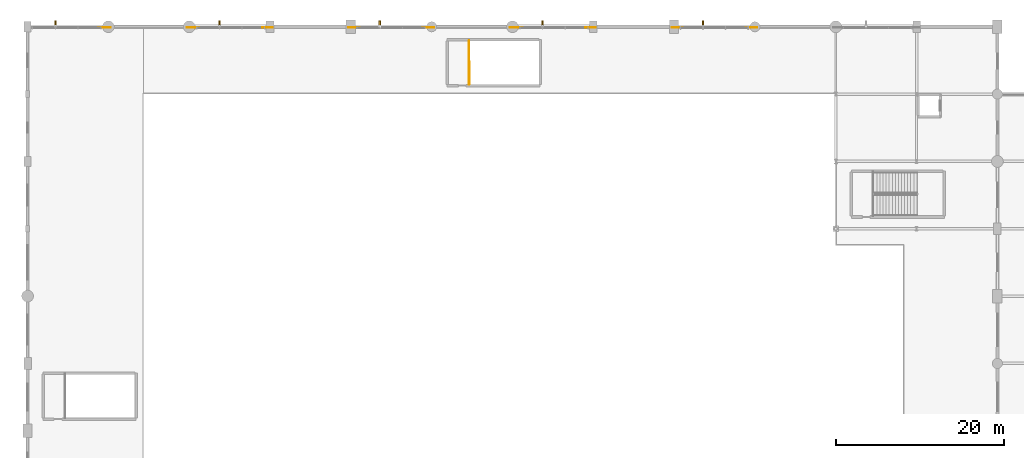
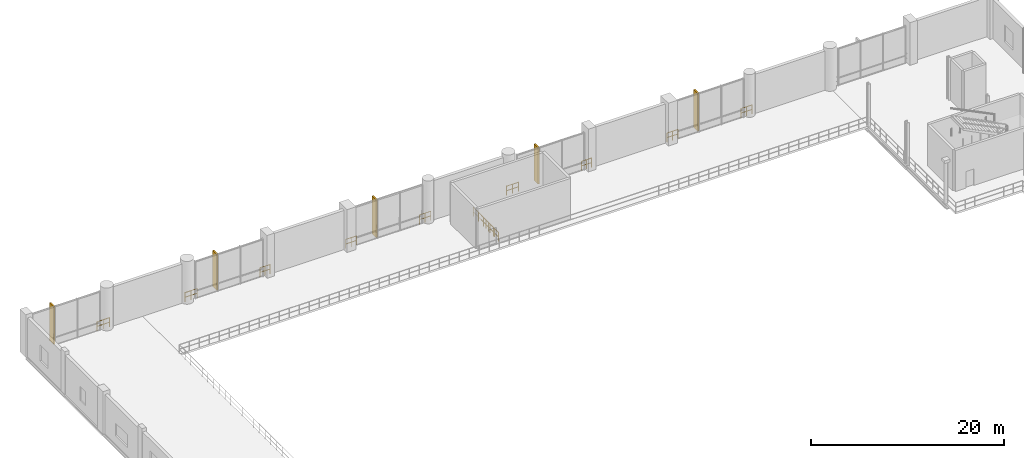
# One storey, part 127 of 129: 11 railings, 5 shading devices.
"""IFC4 building model written with IfcOpenShell, lengths in metres."""

from ifc_helpers import new_model, si_unit, direction, frame, origin, origin_2d, place, context, subcontext, project, spatial, rectangle, circle, extrude, material, type_object, element, save


model = new_model("IFC4")

# Units and contexts
model_context = context("Model", 3, precision=1e-05, world=origin(), true_north=direction((0.0, 1.0)))
body_context = subcontext(model_context, "Body", "Model", "MODEL_VIEW")
ifc_project = project(units=[si_unit("LENGTHUNIT", "METRE"), si_unit("AREAUNIT", "SQUARE_METRE"), si_unit("VOLUMEUNIT", "CUBIC_METRE"), si_unit("PLANEANGLEUNIT", "RADIAN"), si_unit("MASSUNIT", "GRAM", prefix="KILO")], contexts=[model_context])

# Site, building, storey
site_placement = place(None, origin())
site = spatial("IfcSite", under=ifc_project, at=site_placement, CompositionType="ELEMENT")
building_placement = place(site_placement, origin())
building = spatial("IfcBuilding", under=site, at=building_placement, Name="Danafjord Basin Convention Centre", CompositionType="ELEMENT")
storey_placement = place(building_placement, frame((0.0, 0.0, 6.0)))
storey = spatial("IfcBuildingStorey", under=building, at=storey_placement, Name="L01", CompositionType="ELEMENT", Elevation=6.0)

# Railings
ifc_material_1 = material(Name="Laminated structural glass and stainless steel", Category="steel")
railing_type_1 = type_object("IfcRailingType", Name="RL-BAL-GLS", PredefinedType="BALUSTRADE", material=ifc_material_1)
for number, where, name in (
    (1, (8.419921875, 143.919921875, 0.0), "L01 safety guard balustrade 1"),
    (2, (18.919921875, 143.919921875, 0.0), "L01 safety guard balustrade 2"),
):
    element("IfcRailing", number, at=place(storey_placement, frame(where)), inside=storey, type_object=railing_type_1, Name=name, PredefinedType="BALUSTRADE", context=body_context, shape_type="SweptSolid", body=[
        extrude(circle(Radius=0.02392578125, at=origin_2d()), frame((0.0, 0.0, 1.1259765625), z_axis=(1.0, 0.0, 0.0), x_axis=(0.0, 1.0, 0.0)), (0.0, 0.0, 1.0), 1.4599609375),
        extrude(circle(Radius=0.02392578125, at=origin_2d()), frame((0.0, 0.0, 0.55078125), z_axis=(1.0, 0.0, 0.0), x_axis=(0.0, 1.0, 0.0)), (0.0, 0.0, 1.0), 1.4599609375),
        extrude(circle(Radius=0.02099609375, at=origin_2d()), origin(), (0.0, 0.0, 1.0), 1.099853515625),
        extrude(circle(Radius=0.02099609375, at=origin_2d()), frame((0.72998046875, 0.0, 0.0)), (0.0, 0.0, 1.0), 1.099853515625),
        extrude(circle(Radius=0.02099609375, at=origin_2d()), frame((1.4599609375, 0.0, 0.0)), (0.0, 0.0, 1.0), 1.099853515625),
    ])
railing_1_placement = place(storey_placement, frame((27.8701171875, 143.919921875, 0.0)))
element("IfcRailing", 3, at=railing_1_placement, inside=storey, type_object=railing_type_1, Name="L01 safety guard balustrade 3", PredefinedType="BALUSTRADE", context=body_context, shape_type="SweptSolid", body=[
    extrude(circle(Radius=0.02392578125, at=origin_2d()), frame((0.0, 0.0, 1.1259765625), z_axis=(1.0, 0.0, 0.0), x_axis=(0.0, 1.0, 0.0)), (0.0, 0.0, 1.0), 1.2099609375),
    extrude(circle(Radius=0.02392578125, at=origin_2d()), frame((0.0, 0.0, 0.55078125), z_axis=(1.0, 0.0, 0.0), x_axis=(0.0, 1.0, 0.0)), (0.0, 0.0, 1.0), 1.2099609375),
    extrude(circle(Radius=0.02099609375, at=origin_2d()), origin(), (0.0, 0.0, 1.0), 1.099853515625),
    extrude(circle(Radius=0.02099609375, at=origin_2d()), frame((0.60498046875, 0.0, 0.0)), (0.0, 0.0, 1.0), 1.099853515625),
    extrude(circle(Radius=0.02099609375, at=origin_2d()), frame((1.2099609375, 0.0, 0.0)), (0.0, 0.0, 1.0), 1.099853515625),
])
railing_2_placement = place(storey_placement, frame((38.1201171875, 143.919921875, 0.0)))
element("IfcRailing", 4, at=railing_2_placement, inside=storey, type_object=railing_type_1, Name="L01 safety guard balustrade 4", PredefinedType="BALUSTRADE", context=body_context, shape_type="SweptSolid", body=[
    extrude(circle(Radius=0.02392578125, at=origin_2d()), frame((0.0, 0.0, 1.1259765625), z_axis=(1.0, 0.0, 0.0), x_axis=(0.0, 1.0, 0.0)), (0.0, 0.0, 1.0), 1.309814453125),
    extrude(circle(Radius=0.02392578125, at=origin_2d()), frame((0.0, 0.0, 0.55078125), z_axis=(1.0, 0.0, 0.0), x_axis=(0.0, 1.0, 0.0)), (0.0, 0.0, 1.0), 1.309814453125),
    extrude(circle(Radius=0.02099609375, at=origin_2d()), origin(), (0.0, 0.0, 1.0), 1.099853515625),
    extrude(circle(Radius=0.02099609375, at=origin_2d()), frame((0.65478515625, 0.0, 0.0)), (0.0, 0.0, 1.0), 1.099853515625),
    extrude(circle(Radius=0.02099609375, at=origin_2d()), frame((1.309814453125, 0.0, 0.0)), (0.0, 0.0, 1.0), 1.099853515625),
])
railing_3_placement = place(storey_placement, frame((46.919921875, 143.919921875, 0.0)))
element("IfcRailing", 5, at=railing_3_placement, inside=storey, type_object=railing_type_1, Name="L01 safety guard balustrade 5", PredefinedType="BALUSTRADE", context=body_context, shape_type="SweptSolid", body=[
    extrude(circle(Radius=0.02392578125, at=origin_2d()), frame((0.0, 0.0, 1.1259765625), z_axis=(1.0, 0.0, 0.0), x_axis=(0.0, 1.0, 0.0)), (0.0, 0.0, 1.0), 1.360107421875),
    extrude(circle(Radius=0.02392578125, at=origin_2d()), frame((0.0, 0.0, 0.55078125), z_axis=(1.0, 0.0, 0.0), x_axis=(0.0, 1.0, 0.0)), (0.0, 0.0, 1.0), 1.360107421875),
    extrude(circle(Radius=0.02099609375, at=origin_2d()), origin(), (0.0, 0.0, 1.0), 1.099853515625),
    extrude(circle(Radius=0.02099609375, at=origin_2d()), frame((0.68017578125, 0.0, 0.0)), (0.0, 0.0, 1.0), 1.099853515625),
    extrude(circle(Radius=0.02099609375, at=origin_2d()), frame((1.360107421875, 0.0, 0.0)), (0.0, 0.0, 1.0), 1.099853515625),
])
railing_4_placement = place(storey_placement, frame((57.320068359375, 143.919921875, 0.0)))
element("IfcRailing", 6, at=railing_4_placement, inside=storey, type_object=railing_type_1, Name="L01 safety guard balustrade 6", PredefinedType="BALUSTRADE", context=body_context, shape_type="SweptSolid", body=[
    extrude(circle(Radius=0.02392578125, at=origin_2d()), frame((0.0, 0.0, 1.1259765625), z_axis=(1.0, 0.0, 0.0), x_axis=(0.0, 1.0, 0.0)), (0.0, 0.0, 1.0), 1.4599609375),
    extrude(circle(Radius=0.02392578125, at=origin_2d()), frame((0.0, 0.0, 0.55078125), z_axis=(1.0, 0.0, 0.0), x_axis=(0.0, 1.0, 0.0)), (0.0, 0.0, 1.0), 1.4599609375),
    extrude(circle(Radius=0.02099609375, at=origin_2d()), origin(), (0.0, 0.0, 1.0), 1.099853515625),
    extrude(circle(Radius=0.02099609375, at=origin_2d()), frame((0.72998046875, 0.0, 0.0)), (0.0, 0.0, 1.0), 1.099853515625),
    extrude(circle(Radius=0.02099609375, at=origin_2d()), frame((1.4599609375, 0.0, 0.0)), (0.0, 0.0, 1.0), 1.099853515625),
])
railing_5_placement = place(storey_placement, frame((66.27001953125, 143.919921875, 0.0)))
element("IfcRailing", 7, at=railing_5_placement, inside=storey, type_object=railing_type_1, Name="L01 safety guard balustrade 7", PredefinedType="BALUSTRADE", context=body_context, shape_type="SweptSolid", body=[
    extrude(circle(Radius=0.02392578125, at=origin_2d()), frame((0.0, 0.0, 1.1259765625), z_axis=(1.0, 0.0, 0.0), x_axis=(0.0, 1.0, 0.0)), (0.0, 0.0, 1.0), 1.2099609375),
    extrude(circle(Radius=0.02392578125, at=origin_2d()), frame((0.0, 0.0, 0.55078125), z_axis=(1.0, 0.0, 0.0), x_axis=(0.0, 1.0, 0.0)), (0.0, 0.0, 1.0), 1.2099609375),
    extrude(circle(Radius=0.02099609375, at=origin_2d()), origin(), (0.0, 0.0, 1.0), 1.099853515625),
    extrude(circle(Radius=0.02099609375, at=origin_2d()), frame((0.60498046875, 0.0, 0.0)), (0.0, 0.0, 1.0), 1.099853515625),
    extrude(circle(Radius=0.02099609375, at=origin_2d()), frame((1.2099609375, 0.0, 0.0)), (0.0, 0.0, 1.0), 1.099853515625),
])
railing_6_placement = place(storey_placement, frame((76.52001953125, 143.919921875, 0.0)))
element("IfcRailing", 8, at=railing_6_placement, inside=storey, type_object=railing_type_1, Name="L01 safety guard balustrade 8", PredefinedType="BALUSTRADE", context=body_context, shape_type="SweptSolid", body=[
    extrude(circle(Radius=0.02392578125, at=origin_2d()), frame((0.0, 0.0, 1.1259765625), z_axis=(1.0, 0.0, 0.0), x_axis=(0.0, 1.0, 0.0)), (0.0, 0.0, 1.0), 1.31005859375),
    extrude(circle(Radius=0.02392578125, at=origin_2d()), frame((0.0, 0.0, 0.55078125), z_axis=(1.0, 0.0, 0.0), x_axis=(0.0, 1.0, 0.0)), (0.0, 0.0, 1.0), 1.31005859375),
    extrude(circle(Radius=0.02099609375, at=origin_2d()), origin(), (0.0, 0.0, 1.0), 1.099853515625),
    extrude(circle(Radius=0.02099609375, at=origin_2d()), frame((0.655029296875, 0.0, 0.0)), (0.0, 0.0, 1.0), 1.099853515625),
    extrude(circle(Radius=0.02099609375, at=origin_2d()), frame((1.31005859375, 0.0, 0.0)), (0.0, 0.0, 1.0), 1.099853515625),
])
railing_7_placement = place(storey_placement, frame((85.320068359375, 143.919921875, 0.0)))
element("IfcRailing", 9, at=railing_7_placement, inside=storey, type_object=railing_type_1, Name="L01 safety guard balustrade 9", PredefinedType="BALUSTRADE", context=body_context, shape_type="SweptSolid", body=[
    extrude(circle(Radius=0.02392578125, at=origin_2d()), frame((0.0, 0.0, 1.1259765625), z_axis=(1.0, 0.0, 0.0), x_axis=(0.0, 1.0, 0.0)), (0.0, 0.0, 1.0), 1.35986328125),
    extrude(circle(Radius=0.02392578125, at=origin_2d()), frame((0.0, 0.0, 0.55078125), z_axis=(1.0, 0.0, 0.0), x_axis=(0.0, 1.0, 0.0)), (0.0, 0.0, 1.0), 1.35986328125),
    extrude(circle(Radius=0.02099609375, at=origin_2d()), origin(), (0.0, 0.0, 1.0), 1.099853515625),
    extrude(circle(Radius=0.02099609375, at=origin_2d()), frame((0.679931640625, 0.0, 0.0)), (0.0, 0.0, 1.0), 1.099853515625),
    extrude(circle(Radius=0.02099609375, at=origin_2d()), frame((1.35986328125, 0.0, 0.0)), (0.0, 0.0, 1.0), 1.099853515625),
])
ifc_material_2 = material(Name="Galvanised and powder-coated steel S355", Category="steel")
railing_type_2 = type_object("IfcRailingType", Name="RL-BAL-STL", PredefinedType="BALUSTRADE", material=ifc_material_2)
railing_8_placement = place(storey_placement, frame((52.449951171875, 142.35009765625, 0.0)))
element("IfcRailing", 10, at=railing_8_placement, inside=storey, type_object=railing_type_2, Name="L01 safety guard balustrade 115", PredefinedType="BALUSTRADE", context=body_context, shape_type="SweptSolid", body=[
    extrude(circle(Radius=0.02392578125, at=origin_2d()), frame((0.0, 0.0, 1.1259765625), z_axis=(0.0, -1.0, 0.0), x_axis=(1.0, 0.0, 0.0)), (0.0, 0.0, 1.0), 5.239990234375),
    extrude(circle(Radius=0.02392578125, at=origin_2d()), frame((0.0, 0.0, 0.55078125), z_axis=(0.0, -1.0, 0.0), x_axis=(1.0, 0.0, 0.0)), (0.0, 0.0, 1.0), 5.239990234375),
    extrude(circle(Radius=0.02099609375, at=origin_2d()), origin(), (0.0, 0.0, 1.0), 1.099853515625),
    extrude(circle(Radius=0.02099609375, at=origin_2d()), frame((0.0, -1.048095703125, 0.0)), (0.0, 0.0, 1.0), 1.099853515625),
    extrude(circle(Radius=0.02099609375, at=origin_2d()), frame((0.0, -2.095947265625, 0.0)), (0.0, 0.0, 1.0), 1.099853515625),
    extrude(circle(Radius=0.02099609375, at=origin_2d()), frame((0.0, -3.14404296875, 0.0)), (0.0, 0.0, 1.0), 1.099853515625),
    extrude(circle(Radius=0.02099609375, at=origin_2d()), frame((0.0, -4.19189453125, 0.0)), (0.0, 0.0, 1.0), 1.099853515625),
    extrude(circle(Radius=0.02099609375, at=origin_2d()), frame((0.0, -5.239990234375, 0.0)), (0.0, 0.0, 1.0), 1.099853515625),
])
ifc_material_3 = material(Name="Galvanised steel S355", Category="steel")
railing_type_3 = type_object("IfcRailingType", Name="RL-GD-WELL", PredefinedType="BALUSTRADE", material=ifc_material_3)
railing_9_placement = place(storey_placement, frame((52.47998046875, 137.159912109375, 0.0)))
element("IfcRailing", 11, at=railing_9_placement, inside=storey, type_object=railing_type_3, Name="L01 ST-10 top well guard 1", PredefinedType="BALUSTRADE", context=body_context, shape_type="SweptSolid", body=[
    extrude(circle(Radius=0.02392578125, at=origin_2d()), frame((0.0, 0.0, 1.076171875), z_axis=(0.0, 1.0, 0.0), x_axis=(-1.0, 0.0, 0.0)), (0.0, 0.0, 1.0), 2.64013671875),
    extrude(circle(Radius=0.02392578125, at=origin_2d()), frame((0.0, 0.0, 0.52587890625), z_axis=(0.0, 1.0, 0.0), x_axis=(-1.0, 0.0, 0.0)), (0.0, 0.0, 1.0), 2.64013671875),
    extrude(circle(Radius=0.02099609375, at=origin_2d()), origin(), (0.0, 0.0, 1.0), 1.050048828125),
    extrude(circle(Radius=0.02099609375, at=origin_2d()), frame((0.0, 0.880126953125, 0.0)), (0.0, 0.0, 1.0), 1.050048828125),
    extrude(circle(Radius=0.02099609375, at=origin_2d()), frame((0.0, 1.760009765625, 0.0)), (0.0, 0.0, 1.0), 1.050048828125),
    extrude(circle(Radius=0.02099609375, at=origin_2d()), frame((0.0, 2.64013671875, 0.0)), (0.0, 0.0, 1.0), 1.050048828125),
])

# Shading devices
ifc_material_4 = material(Name="Architectural white precast concrete C45/55", Category="concrete")
shading_device_type = type_object("IfcShadingDeviceType", Name="SHD-FIN-A", PredefinedType="USERDEFINED", material=ifc_material_4)
shading_device_1_placement = place(storey_placement, frame((3.300048828125, 144.320068359375, 0.080078125), z_axis=(0.0, 0.0, 1.0), x_axis=(1.0, 0.0, 0.0)))
element("IfcShadingDevice", 12, at=shading_device_1_placement, inside=storey, type_object=shading_device_type, Name="L01 architectural precast solar fin 1", ObjectType="FIN", PredefinedType="USERDEFINED", context=body_context, shape_type="SweptSolid", body=[
    extrude(rectangle(XDim=0.179931640625, YDim=0.840087890625, at=origin_2d()), origin(), (0.0, 0.0, 1.0), 4.77001953125),
])
shading_device_2_placement = place(storey_placement, frame((22.783203125, 144.320068359375, 0.080078125), z_axis=(0.0, 0.0, 1.0), x_axis=(1.0, 0.0, 0.0)))
element("IfcShadingDevice", 13, at=shading_device_2_placement, inside=storey, type_object=shading_device_type, Name="L01 architectural precast solar fin 3", ObjectType="FIN", PredefinedType="USERDEFINED", context=body_context, shape_type="SweptSolid", body=[
    extrude(rectangle(XDim=0.179931640625, YDim=0.840087890625, at=origin_2d()), origin(), (0.0, 0.0, 1.0), 4.570068359375),
])
shading_device_3_placement = place(storey_placement, frame((41.833251953125, 144.320068359375, 0.080078125), z_axis=(0.0, 0.0, 1.0), x_axis=(1.0, 0.0, 0.0)))
element("IfcShadingDevice", 14, at=shading_device_3_placement, inside=storey, type_object=shading_device_type, Name="L01 architectural precast solar fin 5", ObjectType="FIN", PredefinedType="USERDEFINED", context=body_context, shape_type="SweptSolid", body=[
    extrude(rectangle(XDim=0.179931640625, YDim=0.840087890625, at=origin_2d()), origin(), (0.0, 0.0, 1.0), 4.77001953125),
])
shading_device_4_placement = place(storey_placement, frame((61.183349609375, 144.320068359375, 0.080078125), z_axis=(0.0, 0.0, 1.0), x_axis=(1.0, 0.0, 0.0)))
element("IfcShadingDevice", 15, at=shading_device_4_placement, inside=storey, type_object=shading_device_type, Name="L01 architectural precast solar fin 7", ObjectType="FIN", PredefinedType="USERDEFINED", context=body_context, shape_type="SweptSolid", body=[
    extrude(rectangle(XDim=0.179931640625, YDim=0.840087890625, at=origin_2d()), origin(), (0.0, 0.0, 1.0), 4.570068359375),
])
shading_device_5_placement = place(storey_placement, frame((80.2333984375, 144.320068359375, 0.080078125), z_axis=(0.0, 0.0, 1.0), x_axis=(1.0, 0.0, 0.0)))
element("IfcShadingDevice", 16, at=shading_device_5_placement, inside=storey, type_object=shading_device_type, Name="L01 architectural precast solar fin 9", ObjectType="FIN", PredefinedType="USERDEFINED", context=body_context, shape_type="SweptSolid", body=[
    extrude(rectangle(XDim=0.179931640625, YDim=0.840087890625, at=origin_2d()), origin(), (0.0, 0.0, 1.0), 4.77001953125),
])

save(model, "model.ifc")
